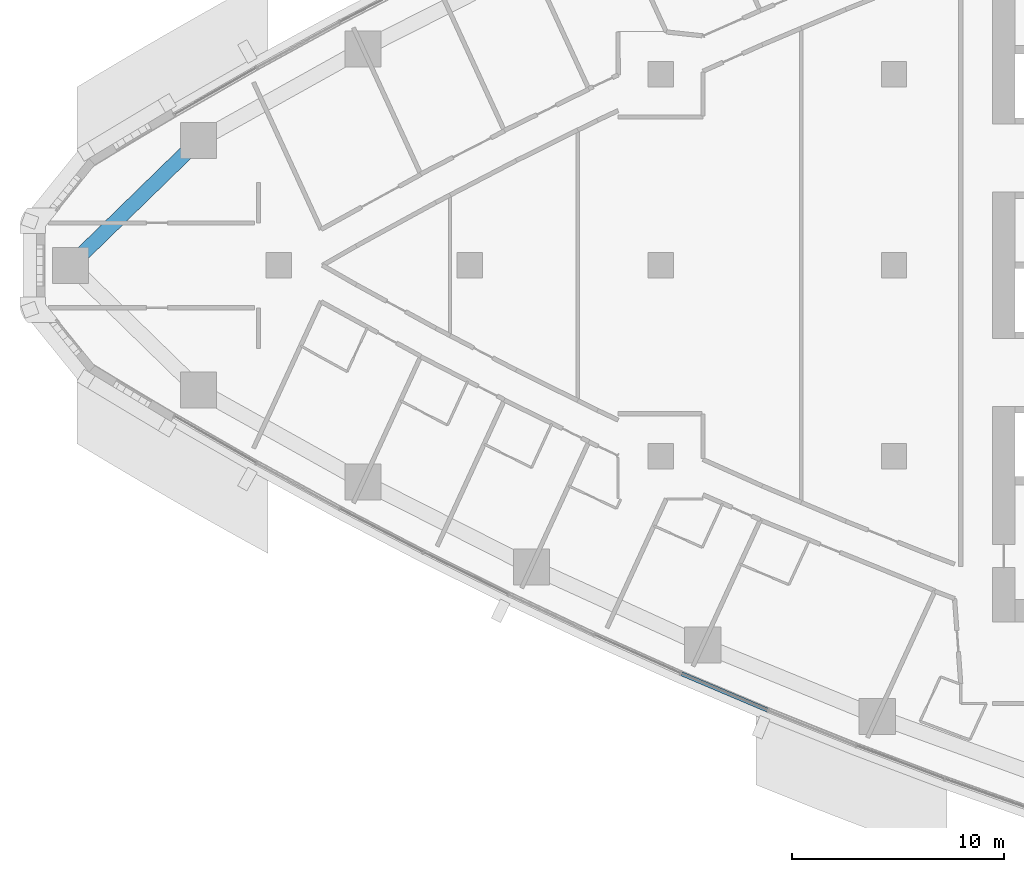
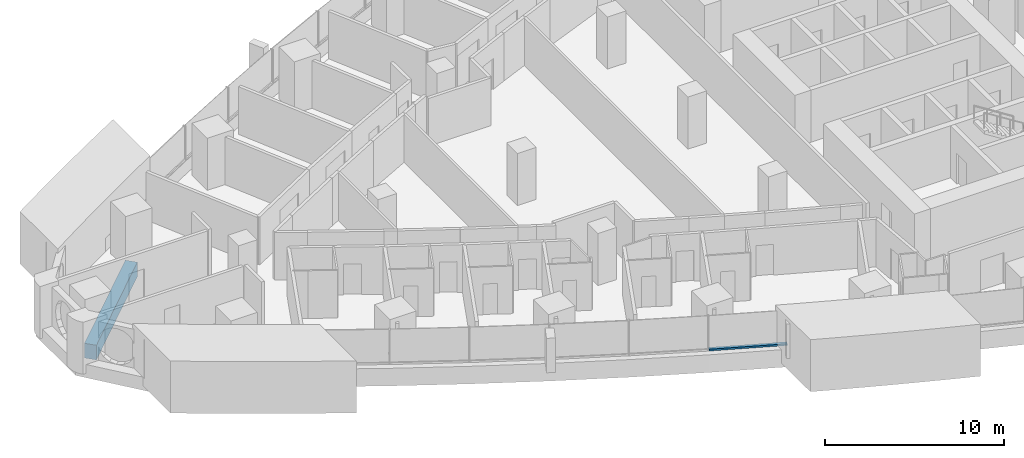
# One storey, part 3 of 17: 1 beam, 1 member, 1 element without a shape of its own.
"""IFC4 building model written with IfcOpenShell, lengths in metres."""

from ifc_helpers import new_model, si_unit, direction, frame, origin, origin_2d, place, context, subcontext, project, spatial, rectangle, extrude, material, layer, layer_set, material_profile, profile_set, type_object, element, aggregate, save


model = new_model("IFC4")

# Units and contexts
model_context = context("Model", 3, precision=1e-05, world=origin(), true_north=direction((0.0, 1.0)))
body_context = subcontext(model_context, "Body", "Model", "MODEL_VIEW")
ifc_project = project(units=[si_unit("LENGTHUNIT", "METRE"), si_unit("AREAUNIT", "SQUARE_METRE"), si_unit("VOLUMEUNIT", "CUBIC_METRE"), si_unit("PLANEANGLEUNIT", "RADIAN"), si_unit("MASSUNIT", "GRAM", prefix="KILO")], contexts=[model_context])

# Site, building, storey
site_placement = place(None, origin())
site = spatial("IfcSite", under=ifc_project, at=site_placement, CompositionType="ELEMENT")
building_placement = place(site_placement, origin())
building = spatial("IfcBuilding", under=site, at=building_placement, Name="Ostrand Prow Hotel Tower", CompositionType="ELEMENT")
storey_placement = place(building_placement, frame((0.0, 0.0, 88.449951171875)))
storey = spatial("IfcBuildingStorey", under=building, at=storey_placement, Name="L20", CompositionType="ELEMENT", Elevation=88.449951171875)

# Beam
ifc_material_1 = material(Name="Concrete C80/95", Category="concrete")
ifc_material_profile_1 = material_profile(ifc_material_1, rectangle(XDim=0.699951171875, YDim=1.0, at=origin_2d()), Name="RC 700x1000")
ifc_profile_set_1 = profile_set([ifc_material_profile_1], Name="Concrete C80/95")
beam_type = type_object("IfcBeamType", Name="Edge beam 700x1000 C80/95", PredefinedType="SPANDREL", material=ifc_profile_set_1)
beam_placement = place(storey_placement, frame((12.221435546875, 5.876220703125, -0.800048828125), z_axis=(-0.716082759826, -0.698015387423, 0.0), x_axis=(0.698015387423, -0.716082759826, 0.0)))
element("IfcBeam", 1, at=beam_placement, inside=storey, type_object=beam_type, Name="Edge beam N6-P", PredefinedType="SPANDREL", context=body_context, shape_type="SweptSolid", body=[
    extrude(rectangle(XDim=0.699951171875, YDim=1.0, at=origin_2d()), origin(), (0.0, 0.0, 1.0), 8.41845703125),
])

# Curtain wall, member
ifc_material_2 = material(Name="Insulated glass in bronze anodised frame", Category="glass")
ifc_layer = layer(ifc_material_2, 0.199951171875)
ifc_layer_set = layer_set([ifc_layer], Name="Insulated glass in bronze anodised frame")
curtain_wall_type = type_object("IfcCurtainWallType", Name="Strip curtain wall, fritted glass over bronze spandrel", PredefinedType="NOTDEFINED", material=ifc_layer_set)
curtain_wall_placement = place(storey_placement, origin())
curtain_wall = element("IfcCurtainWall", 2, at=curtain_wall_placement, inside=storey, type_object=curtain_wall_type, Name="CW1 run CWS4", PredefinedType="NOTDEFINED")
ifc_material_3 = material(Name="Bronze anodised aluminium", Category="aluminium")
ifc_material_profile_2 = material_profile(ifc_material_3, rectangle(XDim=0.199951171875, YDim=0.1201171875, at=origin_2d()), Name="Transom 120x200 bronze anodised aluminium")
ifc_profile_set_2 = profile_set([ifc_material_profile_2], Name="Bronze anodised aluminium")
member_type = type_object("IfcMemberType", Name="Transom 120x200 bronze anodised aluminium", PredefinedType="USERDEFINED", material=ifc_profile_set_2)
member_placement = place(storey_placement, frame((34.978271484375, -19.24462890625, 0.9599609375), z_axis=(0.921006250528, -0.389547797438, 0.0), x_axis=(0.389547797438, 0.921006250528, 0.0)))
member = element("IfcMember", 3, at=member_placement, type_object=member_type, Name="CW1 transom 1.1", ObjectType="TRANSOM", PredefinedType="USERDEFINED", context=body_context, shape_type="SweptSolid", body=[
    extrude(rectangle(XDim=0.199951171875, YDim=0.1201171875, at=origin_2d()), origin(), (0.0, 0.0, 1.0), 4.406005859375),
])
aggregate(curtain_wall, [member])

save(model, "model.ifc")
